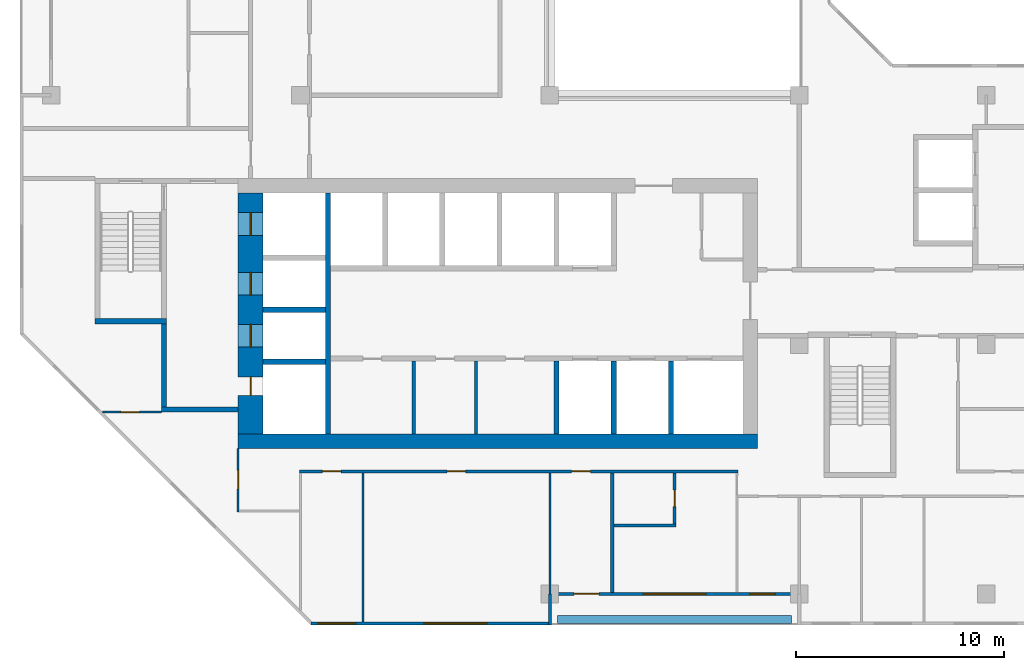
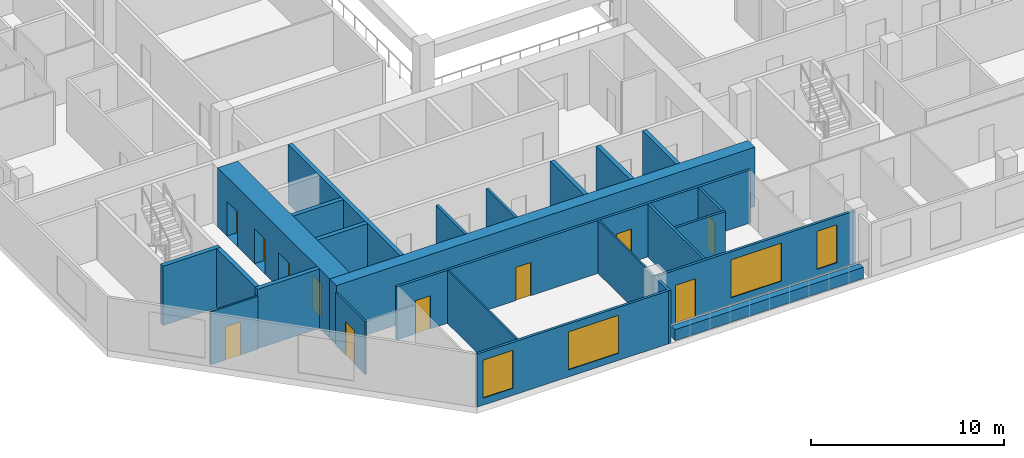
# One storey, part 4 of 14: 25 walls, 11 doors, 4 windows, 15 openings.
"""IFC4 building model written with IfcOpenShell, lengths in metres."""

from ifc_helpers import new_model, si_unit, direction, frame, frame_2d, origin, place, context, subcontext, project, spatial, rectangle, extrude, material, layer, layer_set, type_object, element, fill, save


model = new_model("IFC4")

# Units and contexts
model_context = context("Model", 3, precision=1e-05, world=origin(), true_north=direction((0.0, 1.0)))
body_context = subcontext(model_context, "Body", "Model", "MODEL_VIEW")
ifc_project = project(units=[si_unit("LENGTHUNIT", "METRE"), si_unit("AREAUNIT", "SQUARE_METRE"), si_unit("VOLUMEUNIT", "CUBIC_METRE"), si_unit("PLANEANGLEUNIT", "RADIAN"), si_unit("MASSUNIT", "GRAM", prefix="KILO")], contexts=[model_context])

# Site, building, storey
site_placement = place(None, origin())
site = spatial("IfcSite", under=ifc_project, at=site_placement, CompositionType="ELEMENT")
building_placement = place(site_placement, origin())
building = spatial("IfcBuilding", under=site, at=building_placement, Name="Chenar Terraces", CompositionType="ELEMENT")
storey_placement = place(building_placement, frame((0.0, 0.0, 237.89990234375)))
storey = spatial("IfcBuildingStorey", under=building, at=storey_placement, Name="L56", CompositionType="ELEMENT", Elevation=237.89990234375)

# Walls
ifc_material_1 = material(Name="Gypsum board on steel studs", Category="steel")
ifc_layer_1 = layer(ifc_material_1, 0.14990234375)
ifc_layer_set_1 = layer_set([ifc_layer_1], Name="Gypsum board on steel studs")
wall_type_1 = type_object("IfcWallType", Name="Core partition 150 gypsum board", PredefinedType="PARTITIONING", material=ifc_layer_set_1)
for number, where, z_axis, x_axis, name in (
    (1, (17.449951171875, 7.699951171875, 0.0), (0.0, 0.0, 1.0), (0.0, 1.0, 0.0), "Core partition CP1 freed bay wall"),
    (2, (20.449951171875, 7.699951171875, 0.0), (0.0, 0.0, 1.0), (0.0, 1.0, 0.0), "Core partition CP1 freed bay wall"),
):
    element("IfcWall", number, at=place(storey_placement, frame(where, z_axis=z_axis, x_axis=x_axis)), inside=storey, type_object=wall_type_1, Name=name, PredefinedType="PARTITIONING", context=body_context, shape_type="SweptSolid", body=[
        extrude(rectangle(XDim=3.5, YDim=0.14990234375, at=frame_2d((1.75, 0.0))), origin(), (0.0, 0.0, 1.0), 3.35009765625),
    ])

# Wall, openings, doors
ifc_material_2 = material(Name="Concrete C60/75", Category="concrete")
ifc_layer_2 = layer(ifc_material_2, 1.199951171875)
ifc_layer_set_2 = layer_set([ifc_layer_2], Name="Concrete C60/75")
wall_type_2 = type_object("IfcWallType", Name="Core wall 1200 Concrete C60/75", PredefinedType="SHEAR", material=ifc_layer_set_2)
wall_1_placement = place(storey_placement, frame((9.60009765625, 7.699951171875, 0.0), z_axis=(0.0, 0.0, 1.0), x_axis=(0.0, 1.0, 0.0)))
wall_1 = element("IfcWall", 3, at=wall_1_placement, inside=storey, type_object=wall_type_2, Name="Core wall W L56", PredefinedType="SHEAR", context=body_context, shape_type="SweptSolid", body=[
    extrude(rectangle(XDim=11.60009765625, YDim=1.199951171875, at=frame_2d((5.800048828125, 0.0))), origin(), (0.0, 0.0, 1.0), 3.75),
])
opening_1_placement = place(wall_1_placement, frame((4.175048828125, 0.0, 0.0)))
opening_1 = element("IfcOpeningElement", 4, at=opening_1_placement, cuts=wall_1, Name="Opening DL56-LD5", PredefinedType="OPENING", context=body_context, shape_type="SweptSolid", body=[
    extrude(rectangle(XDim=1.10009765625, YDim=2.199951171875, at=frame_2d((0.550048828125, 1.10009765625))), frame((0.0, 0.60986328125, 0.0), z_axis=(0.0, -1.0, 0.0), x_axis=(1.0, 0.0, 0.0)), (0.0, 0.0, 1.0), 1.219970703125),
])
opening_2_placement = place(wall_1_placement, frame((6.675048828125, 0.0, 0.0)))
opening_2 = element("IfcOpeningElement", 5, at=opening_2_placement, cuts=wall_1, Name="Opening DL56-LD6", PredefinedType="OPENING", context=body_context, shape_type="SweptSolid", body=[
    extrude(rectangle(XDim=1.10009765625, YDim=2.199951171875, at=frame_2d((0.550048828125, 1.10009765625))), frame((0.0, 0.60986328125, 0.0), z_axis=(0.0, -1.0, 0.0), x_axis=(1.0, 0.0, 0.0)), (0.0, 0.0, 1.0), 1.219970703125),
])
opening_3_placement = place(wall_1_placement, frame((9.550048828125, 0.0, 0.0)))
opening_3 = element("IfcOpeningElement", 6, at=opening_3_placement, cuts=wall_1, Name="Opening DL56-LD7", PredefinedType="OPENING", context=body_context, shape_type="SweptSolid", body=[
    extrude(rectangle(XDim=1.10009765625, YDim=2.199951171875, at=frame_2d((0.550048828125, 1.10009765625))), frame((0.0, 0.60986328125, 0.0), z_axis=(0.0, -1.0, 0.0), x_axis=(1.0, 0.0, 0.0)), (0.0, 0.0, 1.0), 1.219970703125),
])
opening_4_placement = place(wall_1_placement, frame((1.85009765625, 0.0, 0.0)))
opening_4 = element("IfcOpeningElement", 7, at=opening_4_placement, cuts=wall_1, Name="Opening DL56-C4", PredefinedType="OPENING", context=body_context, shape_type="SweptSolid", body=[
    extrude(rectangle(XDim=0.89990234375, YDim=2.10009765625, at=frame_2d((0.449951171875, 1.050048828125))), frame((0.0, 0.60986328125, 0.0), z_axis=(0.0, -1.0, 0.0), x_axis=(1.0, 0.0, 0.0)), (0.0, 0.0, 1.0), 1.219970703125),
])
ifc_material_3 = material(Name="Stainless steel", Category="steel")
door_type_1 = type_object("IfcDoorType", Name="Lift landing door 1100 x 2200 sliding", OperationType="DOUBLE_DOOR_SLIDING", PredefinedType="DOOR", material=ifc_material_3)
door_1_placement = place(opening_1_placement, origin())
door_1 = element("IfcDoor", 8, at=door_1_placement, inside=storey, type_object=door_type_1, Name="Landing door S1", OperationType="DOUBLE_DOOR_SLIDING", OverallHeight=2.199951171875, OverallWidth=1.10009765625, PredefinedType="DOOR", context=body_context, shape_type="SweptSolid", body=[
    extrude(rectangle(XDim=1.10009765625, YDim=2.199951171875, at=frame_2d((0.550048828125, 1.10009765625))), frame((0.0, 0.02490234375, 0.0), z_axis=(0.0, -1.0, 0.0), x_axis=(1.0, 0.0, 0.0)), (0.0, 0.0, 1.0), 0.050048828125),
])
fill(opening_1, door_1)
door_2_placement = place(opening_2_placement, origin())
door_2 = element("IfcDoor", 9, at=door_2_placement, inside=storey, type_object=door_type_1, Name="Landing door F1", OperationType="DOUBLE_DOOR_SLIDING", OverallHeight=2.199951171875, OverallWidth=1.10009765625, PredefinedType="DOOR", context=body_context, shape_type="SweptSolid", body=[
    extrude(rectangle(XDim=1.10009765625, YDim=2.199951171875, at=frame_2d((0.550048828125, 1.10009765625))), frame((0.0, 0.02490234375, 0.0), z_axis=(0.0, -1.0, 0.0), x_axis=(1.0, 0.0, 0.0)), (0.0, 0.0, 1.0), 0.050048828125),
])
fill(opening_2, door_2)
door_3_placement = place(opening_3_placement, origin())
door_3 = element("IfcDoor", 10, at=door_3_placement, inside=storey, type_object=door_type_1, Name="Landing door F2", OperationType="DOUBLE_DOOR_SLIDING", OverallHeight=2.199951171875, OverallWidth=1.10009765625, PredefinedType="DOOR", context=body_context, shape_type="SweptSolid", body=[
    extrude(rectangle(XDim=1.10009765625, YDim=2.199951171875, at=frame_2d((0.550048828125, 1.10009765625))), frame((0.0, 0.02490234375, 0.0), z_axis=(0.0, -1.0, 0.0), x_axis=(1.0, 0.0, 0.0)), (0.0, 0.0, 1.0), 0.050048828125),
])
fill(opening_3, door_3)
ifc_material_4 = material(Name="Steel-framed fire-resisting door leaf", Category="steel")
door_type_2 = type_object("IfcDoorType", Name="Riser fire door FD60 900 x 2100", OperationType="SINGLE_SWING_LEFT", PredefinedType="DOOR", material=ifc_material_4)
door_4_placement = place(opening_4_placement, frame((0.89990234375, 0.0, 0.0), z_axis=(0.0, 0.0, 1.0), x_axis=(-1.0, 0.0, 0.0)))
door_4 = element("IfcDoor", 11, at=door_4_placement, inside=storey, type_object=door_type_2, Name="Riser door DL56-C4", OperationType="SINGLE_SWING_LEFT", OverallHeight=2.10009765625, OverallWidth=0.89990234375, PredefinedType="DOOR", context=body_context, shape_type="SweptSolid", body=[
    extrude(rectangle(XDim=0.89990234375, YDim=2.10009765625, at=frame_2d((0.449951171875, 1.050048828125))), frame((0.0, 0.02490234375, 0.0), z_axis=(0.0, -1.0, 0.0), x_axis=(1.0, 0.0, 0.0)), (0.0, 0.0, 1.0), 0.050048828125),
])
fill(opening_4, door_4)

# Walls
ifc_material_5 = material(Name="Concrete C60/75", Category="concrete")
ifc_layer_3 = layer(ifc_material_5, 0.25)
ifc_layer_set_3 = layer_set([ifc_layer_3], Name="Concrete C60/75")
wall_type_3 = type_object("IfcWallType", Name="Core wall 250 Concrete C60/75", PredefinedType="SHEAR", material=ifc_layer_set_3)
wall_2_placement = place(storey_placement, frame((13.324951171875, 7.699951171875, 0.0), z_axis=(0.0, 0.0, 1.0), x_axis=(0.0, 1.0, 0.0)))
element("IfcWall", 12, at=wall_2_placement, inside=storey, type_object=wall_type_3, Name="Core wall WI L56", PredefinedType="SHEAR", context=body_context, shape_type="SweptSolid", body=[
    extrude(rectangle(XDim=11.60009765625, YDim=0.25, at=frame_2d((5.800048828125, 0.0))), origin(), (0.0, 0.0, 1.0), 3.75),
])
for number, where, z_axis, x_axis, name in (
    (13, (10.199951171875, 11.175048828125, 0.0), (0.0, 0.0, 1.0), (1.0, 0.0, 0.0), "Core wall HW0 L56"),
    (14, (10.199951171875, 13.675048828125, 0.0), (0.0, 0.0, 1.0), (1.0, 0.0, 0.0), "Core wall HW1 L56"),
):
    element("IfcWall", number, at=place(storey_placement, frame(where, z_axis=z_axis, x_axis=x_axis)), inside=storey, type_object=wall_type_3, Name=name, PredefinedType="SHEAR", context=body_context, shape_type="SweptSolid", body=[
        extrude(rectangle(XDim=3.0, YDim=0.25, at=frame_2d((1.5, 0.0))), origin(), (0.0, 0.0, 1.0), 3.75),
    ])
for number, where, z_axis, x_axis, name in (
    (15, (24.324951171875, 7.699951171875, 0.0), (0.0, 0.0, 1.0), (0.0, 1.0, 0.0), "Core wall SS3 L56"),
    (16, (27.074951171875, 7.699951171875, 0.0), (0.0, 0.0, 1.0), (0.0, 1.0, 0.0), "Core wall SS4 L56"),
    (17, (29.824951171875, 7.699951171875, 0.0), (0.0, 0.0, 1.0), (0.0, 1.0, 0.0), "Core wall SS5 L56"),
):
    element("IfcWall", number, at=place(storey_placement, frame(where, z_axis=z_axis, x_axis=x_axis)), inside=storey, type_object=wall_type_3, Name=name, PredefinedType="SHEAR", context=body_context, shape_type="SweptSolid", body=[
        extrude(rectangle(XDim=3.5, YDim=0.25, at=frame_2d((1.75, 0.0))), origin(), (0.0, 0.0, 1.0), 3.75),
    ])
wall_3_placement = place(storey_placement, frame((2.10009765625, 13.125, 0.0), z_axis=(0.0, 0.0, 1.0), x_axis=(1.0, 0.0, 0.0)))
element("IfcWall", 18, at=wall_3_placement, inside=storey, type_object=wall_type_3, Name="Core wall ST1_S L56", PredefinedType="SHEAR", context=body_context, shape_type="SweptSolid", body=[
    extrude(rectangle(XDim=3.449951171875, YDim=0.25, at=frame_2d((1.72509765625, 0.0))), origin(), (0.0, 0.0, 1.0), 3.75),
])
wall_4_placement = place(storey_placement, frame((5.300048828125, 8.875, 0.0), z_axis=(0.0, 0.0, 1.0), x_axis=(1.0, 0.0, 0.0)))
element("IfcWall", 19, at=wall_4_placement, inside=storey, type_object=wall_type_3, Name="Core wall FFL_S L56", PredefinedType="SHEAR", context=body_context, shape_type="SweptSolid", body=[
    extrude(rectangle(XDim=3.699951171875, YDim=0.25, at=frame_2d((1.85009765625, 0.0))), origin(), (0.0, 0.0, 1.0), 3.75),
])
wall_5_placement = place(storey_placement, frame((5.425048828125, 9.0, 0.0), z_axis=(0.0, 0.0, 1.0), x_axis=(0.0, 1.0, 0.0)))
element("IfcWall", 20, at=wall_5_placement, inside=storey, type_object=wall_type_3, Name="Core wall FFL_W L56", PredefinedType="SHEAR", context=body_context, shape_type="SweptSolid", body=[
    extrude(rectangle(XDim=4.0, YDim=0.25, at=frame_2d((2.0, 0.0))), origin(), (0.0, 0.0, 1.0), 3.75),
])
ifc_material_6 = material(Name="Concrete C60/75", Category="concrete")
ifc_layer_4 = layer(ifc_material_6, 0.699951171875)
ifc_layer_set_4 = layer_set([ifc_layer_4], Name="Concrete C60/75")
wall_type_4 = type_object("IfcWallType", Name="Core wall 700 Concrete C60/75", PredefinedType="SHEAR", material=ifc_layer_set_4)
wall_6_placement = place(storey_placement, frame((9.0, 7.35009765625, 0.0), z_axis=(0.0, 0.0, 1.0), x_axis=(1.0, 0.0, 0.0)))
element("IfcWall", 21, at=wall_6_placement, inside=storey, type_object=wall_type_4, Name="Core wall S L56", PredefinedType="SHEAR", context=body_context, shape_type="SweptSolid", body=[
    extrude(rectangle(XDim=25.0, YDim=0.699951171875, at=frame_2d((12.5, 0.0))), origin(), (0.0, 0.0, 1.0), 3.75),
])

# Wall, openings, windows
ifc_material_7 = material(Name="Aluminium framed glazing", Category="aluminium")
ifc_layer_5 = layer(ifc_material_7, 0.14990234375)
ifc_layer_set_5 = layer_set([ifc_layer_5], Name="Aluminium framed glazing")
wall_type_5 = type_object("IfcWallType", Name="Glazed flush facade wall 150", PredefinedType="SOLIDWALL", material=ifc_layer_set_5)
wall_7_placement = place(storey_placement, frame((12.5, -1.425048828125, 0.0), z_axis=(0.0, 0.0, 1.0), x_axis=(1.0, 0.0, 0.0)))
wall_7 = element("IfcWall", 22, at=wall_7_placement, inside=storey, type_object=wall_type_5, Name="Glazed flush facade wall", PredefinedType="SOLIDWALL", context=body_context, shape_type="SweptSolid", body=[
    extrude(rectangle(XDim=11.425048828125, YDim=0.14990234375, at=frame_2d((5.71240234375, 0.0))), origin(), (0.0, 0.0, 1.0), 3.35009765625),
])
opening_5_placement = place(wall_7_placement, frame((0.35009765625, 0.0, 0.449951171875)))
opening_5 = element("IfcOpeningElement", 23, at=opening_5_placement, cuts=wall_7, Name="Opening W180x240", PredefinedType="OPENING", context=body_context, shape_type="SweptSolid", body=[
    extrude(rectangle(XDim=1.800048828125, YDim=2.39990234375, at=frame_2d((0.89990234375, 1.199951171875))), frame((0.0, 0.0849609375, 0.0), z_axis=(0.0, -1.0, 0.0), x_axis=(1.0, 0.0, 0.0)), (0.0, 0.0, 1.0), 0.169921875),
])
opening_6_placement = place(wall_7_placement, frame((5.46240234375, 0.0, 0.449951171875)))
opening_6 = element("IfcOpeningElement", 24, at=opening_6_placement, cuts=wall_7, Name="Opening W300x240", PredefinedType="OPENING", context=body_context, shape_type="SweptSolid", body=[
    extrude(rectangle(XDim=3.0, YDim=2.39990234375, at=frame_2d((1.5, 1.199951171875))), frame((0.0, 0.0849609375, 0.0), z_axis=(0.0, -1.0, 0.0), x_axis=(1.0, 0.0, 0.0)), (0.0, 0.0, 1.0), 0.169921875),
])
ifc_material_8 = material(Name="Low emissivity double glazing, aluminium frame", Category="aluminium")
window_type_1 = type_object("IfcWindowType", Name="Fixed light 1800 x 2400", PartitioningType="SINGLE_PANEL", PredefinedType="WINDOW", material=ifc_material_8)
window_1_placement = place(opening_5_placement, origin())
window_1 = element("IfcWindow", 25, at=window_1_placement, inside=storey, type_object=window_type_1, Name="Window", OverallHeight=2.39990234375, OverallWidth=1.800048828125, PartitioningType="SINGLE_PANEL", PredefinedType="WINDOW", context=body_context, shape_type="SweptSolid", body=[
    extrude(rectangle(XDim=1.800048828125, YDim=2.39990234375, at=frame_2d((0.89990234375, 1.199951171875))), frame((0.0, 0.030029296875, 0.0), z_axis=(0.0, -1.0, 0.0), x_axis=(1.0, 0.0, 0.0)), (0.0, 0.0, 1.0), 0.06005859375),
])
fill(opening_5, window_1)
ifc_material_9 = material(Name="Low emissivity double glazing, aluminium frame", Category="aluminium")
window_type_2 = type_object("IfcWindowType", Name="Fixed light 3000 x 2400", PartitioningType="SINGLE_PANEL", PredefinedType="WINDOW", material=ifc_material_9)
window_2_placement = place(opening_6_placement, origin())
window_2 = element("IfcWindow", 26, at=window_2_placement, inside=storey, type_object=window_type_2, Name="Window", OverallHeight=2.39990234375, OverallWidth=3.0, PartitioningType="SINGLE_PANEL", PredefinedType="WINDOW", context=body_context, shape_type="SweptSolid", body=[
    extrude(rectangle(XDim=3.0, YDim=2.39990234375, at=frame_2d((1.5, 1.199951171875))), frame((0.0, 0.030029296875, 0.0), z_axis=(0.0, -1.0, 0.0), x_axis=(1.0, 0.0, 0.0)), (0.0, 0.0, 1.0), 0.06005859375),
])
fill(opening_6, window_2)

# Wall, openings, windows, door
ifc_material_10 = material(Name="Aluminium framed glazing", Category="aluminium")
ifc_layer_6 = layer(ifc_material_10, 0.14990234375)
ifc_layer_set_6 = layer_set([ifc_layer_6], Name="Aluminium framed glazing")
wall_type_6 = type_object("IfcWallType", Name="Glazed loggia back wall 150", PredefinedType="SOLIDWALL", material=ifc_layer_set_6)
wall_8_placement = place(storey_placement, frame((24.074951171875, 0.0, 0.0), z_axis=(0.0, 0.0, 1.0), x_axis=(1.0, 0.0, 0.0)))
wall_8 = element("IfcWall", 27, at=wall_8_placement, inside=storey, type_object=wall_type_6, Name="Glazed loggia back wall", PredefinedType="SOLIDWALL", context=body_context, shape_type="SweptSolid", body=[
    extrude(rectangle(XDim=11.85009765625, YDim=0.14990234375, at=frame_2d((5.925048828125, 0.0))), origin(), (0.0, 0.0, 1.0), 3.35009765625),
])
opening_7_placement = place(wall_8_placement, frame((1.08740234375, 0.0, 0.0)))
opening_7 = element("IfcOpeningElement", 28, at=opening_7_placement, cuts=wall_8, Name="Opening DL56-G6", PredefinedType="OPENING", context=body_context, shape_type="SweptSolid", body=[
    extrude(rectangle(XDim=1.199951171875, YDim=2.39990234375, at=frame_2d((0.60009765625, 1.199951171875))), frame((0.0, 0.0849609375, 0.0), z_axis=(0.0, -1.0, 0.0), x_axis=(1.0, 0.0, 0.0)), (0.0, 0.0, 1.0), 0.169921875),
])
opening_8_placement = place(wall_8_placement, frame((4.425048828125, 0.0, 0.449951171875)))
opening_8 = element("IfcOpeningElement", 29, at=opening_8_placement, cuts=wall_8, Name="Opening W300x240", PredefinedType="OPENING", context=body_context, shape_type="SweptSolid", body=[
    extrude(rectangle(XDim=3.0, YDim=2.39990234375, at=frame_2d((1.5, 1.199951171875))), frame((0.0, 0.0849609375, 0.0), z_axis=(0.0, -1.0, 0.0), x_axis=(1.0, 0.0, 0.0)), (0.0, 0.0, 1.0), 0.169921875),
])
opening_9_placement = place(wall_8_placement, frame((9.5625, 0.0, 0.449951171875)))
opening_9 = element("IfcOpeningElement", 30, at=opening_9_placement, cuts=wall_8, Name="Opening W120x240", PredefinedType="OPENING", context=body_context, shape_type="SweptSolid", body=[
    extrude(rectangle(XDim=1.199951171875, YDim=2.39990234375, at=frame_2d((0.60009765625, 1.199951171875))), frame((0.0, 0.0849609375, 0.0), z_axis=(0.0, -1.0, 0.0), x_axis=(1.0, 0.0, 0.0)), (0.0, 0.0, 1.0), 0.169921875),
])
ifc_material_11 = material(Name="Low emissivity double glazing, aluminium frame", Category="aluminium")
window_type_3 = type_object("IfcWindowType", Name="Fixed light 1200 x 2400", PartitioningType="SINGLE_PANEL", PredefinedType="WINDOW", material=ifc_material_11)
window_3_placement = place(opening_9_placement, origin())
window_3 = element("IfcWindow", 31, at=window_3_placement, inside=storey, type_object=window_type_3, Name="Window", OverallHeight=2.39990234375, OverallWidth=1.199951171875, PartitioningType="SINGLE_PANEL", PredefinedType="WINDOW", context=body_context, shape_type="SweptSolid", body=[
    extrude(rectangle(XDim=1.199951171875, YDim=2.39990234375, at=frame_2d((0.60009765625, 1.199951171875))), frame((0.0, 0.030029296875, 0.0), z_axis=(0.0, -1.0, 0.0), x_axis=(1.0, 0.0, 0.0)), (0.0, 0.0, 1.0), 0.06005859375),
])
fill(opening_9, window_3)
window_4_placement = place(opening_8_placement, origin())
window_4 = element("IfcWindow", 32, at=window_4_placement, inside=storey, type_object=window_type_2, Name="Window", OverallHeight=2.39990234375, OverallWidth=3.0, PartitioningType="SINGLE_PANEL", PredefinedType="WINDOW", context=body_context, shape_type="SweptSolid", body=[
    extrude(rectangle(XDim=3.0, YDim=2.39990234375, at=frame_2d((1.5, 1.199951171875))), frame((0.0, 0.030029296875, 0.0), z_axis=(0.0, -1.0, 0.0), x_axis=(1.0, 0.0, 0.0)), (0.0, 0.0, 1.0), 0.06005859375),
])
fill(opening_8, window_4)
ifc_material_12 = material(Name="Low emissivity double glazing, aluminium frame", Category="aluminium")
door_type_3 = type_object("IfcDoorType", Name="Loggia glazed double door 1200 x 2400", OperationType="DOUBLE_DOOR_SINGLE_SWING", PredefinedType="DOOR", material=ifc_material_12)
door_5_placement = place(opening_7_placement, frame((1.199951171875, 0.0, 0.0), z_axis=(0.0, 0.0, 1.0), x_axis=(-1.0, 0.0, 0.0)))
door_5 = element("IfcDoor", 33, at=door_5_placement, inside=storey, type_object=door_type_3, Name="Loggia glazed door", OperationType="DOUBLE_DOOR_SINGLE_SWING", OverallHeight=2.39990234375, OverallWidth=1.199951171875, PredefinedType="DOOR", context=body_context, shape_type="SweptSolid", body=[
    extrude(rectangle(XDim=1.199951171875, YDim=2.39990234375, at=frame_2d((0.60009765625, 1.199951171875))), frame((0.0, 0.02490234375, 0.0), z_axis=(0.0, -1.0, 0.0), x_axis=(1.0, 0.0, 0.0)), (0.0, 0.0, 1.0), 0.050048828125),
])
fill(opening_7, door_5)

# Wall, opening, door
ifc_material_13 = material(Name="Gypsum board on steel studs", Category="steel")
ifc_layer_7 = layer(ifc_material_13, 0.10009765625)
ifc_layer_set_7 = layer_set([ifc_layer_7], Name="Gypsum board on steel studs")
wall_type_7 = type_object("IfcWallType", Name="Gypsum partition 100", PredefinedType="PARTITIONING", material=ifc_layer_set_7)
wall_9_placement = place(storey_placement, frame((2.4609375, 8.75, 0.0), z_axis=(0.0, 0.0, 1.0), x_axis=(1.0, 0.0, 0.0)))
wall_9 = element("IfcWall", 34, at=wall_9_placement, inside=storey, type_object=wall_type_7, Name="Partition L56-012", PredefinedType="PARTITIONING", context=body_context, shape_type="SweptSolid", body=[
    extrude(rectangle(XDim=2.839111328125, YDim=0.10009765625, at=frame_2d((1.41943359375, 0.0))), origin(), (0.0, 0.0, 1.0), 3.35009765625),
])
opening_10_placement = place(wall_9_placement, frame((0.888916015625, 0.0, 0.0)))
opening_10 = element("IfcOpeningElement", 35, at=opening_10_placement, cuts=wall_9, Name="Opening DL56-50", PredefinedType="OPENING", context=body_context, shape_type="SweptSolid", body=[
    extrude(rectangle(XDim=0.89990234375, YDim=2.10009765625, at=frame_2d((0.449951171875, 1.050048828125))), frame((0.0, 0.06005859375, 0.0), z_axis=(0.0, -1.0, 0.0), x_axis=(1.0, 0.0, 0.0)), (0.0, 0.0, 1.0), 0.1201171875),
])
ifc_material_14 = material(Name="Veneered timber door leaf", Category="wood")
door_type_4 = type_object("IfcDoorType", Name="Door 900 x 2100", OperationType="SINGLE_SWING_LEFT", PredefinedType="DOOR", material=ifc_material_14)
door_6_placement = place(opening_10_placement, frame((0.89990234375, 0.0, 0.0), z_axis=(0.0, 0.0, 1.0), x_axis=(-1.0, 0.0, 0.0)))
door_6 = element("IfcDoor", 36, at=door_6_placement, inside=storey, type_object=door_type_4, Name="Door DL56-50", OperationType="SINGLE_SWING_RIGHT", OverallHeight=2.10009765625, OverallWidth=0.89990234375, PredefinedType="DOOR", context=body_context, shape_type="SweptSolid", body=[
    extrude(rectangle(XDim=0.89990234375, YDim=2.10009765625, at=frame_2d((0.449951171875, 1.050048828125))), frame((0.0, 0.02490234375, 0.0), z_axis=(0.0, -1.0, 0.0), x_axis=(1.0, 0.0, 0.0)), (0.0, 0.0, 1.0), 0.050048828125),
])
fill(opening_10, door_6)

wall_10_placement = place(storey_placement, frame((9.0, 3.949951171875, 0.0), z_axis=(0.0, 0.0, 1.0), x_axis=(0.0, 1.0, 0.0)))
wall_10 = element("IfcWall", 37, at=wall_10_placement, inside=storey, type_object=wall_type_7, Name="Partition L56-031", PredefinedType="PARTITIONING", context=body_context, shape_type="SweptSolid", body=[
    extrude(rectangle(XDim=3.050048828125, YDim=0.10009765625, at=frame_2d((1.52490234375, 0.0))), origin(), (0.0, 0.0, 1.0), 3.35009765625),
])
opening_11_placement = place(wall_10_placement, frame((1.10009765625, 0.0, 0.0)))
opening_11 = element("IfcOpeningElement", 38, at=opening_11_placement, cuts=wall_10, Name="Opening DL56-49", PredefinedType="OPENING", context=body_context, shape_type="SweptSolid", body=[
    extrude(rectangle(XDim=0.89990234375, YDim=2.10009765625, at=frame_2d((0.449951171875, 1.050048828125))), frame((0.0, 0.06005859375, 0.0), z_axis=(0.0, -1.0, 0.0), x_axis=(1.0, 0.0, 0.0)), (0.0, 0.0, 1.0), 0.1201171875),
])
door_7_placement = place(opening_11_placement, origin())
door_7 = element("IfcDoor", 39, at=door_7_placement, inside=storey, type_object=door_type_4, Name="Door DL56-49", OperationType="SINGLE_SWING_LEFT", OverallHeight=2.10009765625, OverallWidth=0.89990234375, PredefinedType="DOOR", context=body_context, shape_type="SweptSolid", body=[
    extrude(rectangle(XDim=0.89990234375, YDim=2.10009765625, at=frame_2d((0.449951171875, 1.050048828125))), frame((0.0, 0.02490234375, 0.0), z_axis=(0.0, -1.0, 0.0), x_axis=(1.0, 0.0, 0.0)), (0.0, 0.0, 1.0), 0.050048828125),
])
fill(opening_11, door_7)

# Walls
wall_11_placement = place(storey_placement, frame((15.0, -1.35009765625, 0.0), z_axis=(0.0, 0.0, 1.0), x_axis=(0.0, 1.0, 0.0)))
element("IfcWall", 40, at=wall_11_placement, inside=storey, type_object=wall_type_7, Name="Partition L56-046", PredefinedType="PARTITIONING", context=body_context, shape_type="SweptSolid", body=[
    extrude(rectangle(XDim=7.175048828125, YDim=0.10009765625, at=frame_2d((3.58740234375, 0.0))), origin(), (0.0, 0.0, 1.0), 3.35009765625),
])
wall_12_placement = place(storey_placement, frame((24.0, 0.0, 0.0), z_axis=(0.0, 0.0, 1.0), x_axis=(0.0, 1.0, 0.0)))
element("IfcWall", 41, at=wall_12_placement, inside=storey, type_object=wall_type_7, Name="Partition L56-059", PredefinedType="PARTITIONING", context=body_context, shape_type="SweptSolid", body=[
    extrude(rectangle(XDim=5.824951171875, YDim=0.10009765625, at=frame_2d((2.91259765625, 0.0))), origin(), (0.0, 0.0, 1.0), 3.35009765625),
])
ifc_material_15 = material(Name="Terracotta cladding on insulated backing", Category="masonry")
ifc_layer_8 = layer(ifc_material_15, 0.14990234375)
ifc_layer_set_8 = layer_set([ifc_layer_8], Name="Terracotta cladding on insulated backing")
wall_type_8 = type_object("IfcWallType", Name="Loggia return wall 150", PredefinedType="SOLIDWALL", material=ifc_layer_set_8)
wall_13_placement = place(storey_placement, frame((24.0, -1.5, 0.0), z_axis=(0.0, 0.0, 1.0), x_axis=(0.0, 1.0, 0.0)))
element("IfcWall", 42, at=wall_13_placement, inside=storey, type_object=wall_type_8, Name="Loggia return wall", PredefinedType="SOLIDWALL", context=body_context, shape_type="SweptSolid", body=[
    extrude(rectangle(XDim=1.5, YDim=0.14990234375, at=frame_2d((0.75, 0.0))), origin(), (0.0, 0.0, 1.0), 3.35009765625),
])
ifc_material_16 = material(Name="GRP planter trough")
ifc_layer_9 = layer(ifc_material_16, 0.39990234375)
ifc_layer_set_9 = layer_set([ifc_layer_9], Name="GRP planter trough")
wall_type_9 = type_object("IfcWallType", Name="Vertical greenery planter 400", PredefinedType="SOLIDWALL", material=ifc_layer_set_9)
wall_14_placement = place(storey_placement, frame((24.375, -1.22900390625, 0.0), z_axis=(0.0, 0.0, 1.0), x_axis=(1.0, 0.0, 0.0)))
element("IfcWall", 43, at=wall_14_placement, inside=storey, type_object=wall_type_9, Name="Vertical greenery planter", PredefinedType="SOLIDWALL", context=body_context, shape_type="SweptSolid", body=[
    extrude(rectangle(XDim=11.25, YDim=0.39990234375, at=frame_2d((5.625, 0.0))), origin(), (0.0, 0.0, 1.0), 0.7001953125),
])

# Wall, openings, doors
ifc_material_17 = material(Name="Moisture-resistant gypsum board on steel studs", Category="steel")
ifc_layer_10 = layer(ifc_material_17, 0.14990234375)
ifc_layer_set_10 = layer_set([ifc_layer_10], Name="Moisture-resistant gypsum board on steel studs")
wall_type_10 = type_object("IfcWallType", Name="Wet-room partition 150", PredefinedType="PARTITIONING", material=ifc_layer_set_10)
wall_15_placement = place(storey_placement, frame((11.949951171875, 5.89990234375, 0.0), z_axis=(0.0, 0.0, 1.0), x_axis=(1.0, 0.0, 0.0)))
wall_15 = element("IfcWall", 44, at=wall_15_placement, inside=storey, type_object=wall_type_10, Name="Partition L56-034", PredefinedType="PARTITIONING", context=body_context, shape_type="SweptSolid", body=[
    extrude(rectangle(XDim=21.10009765625, YDim=0.14990234375, at=frame_2d((10.550048828125, 0.0))), origin(), (0.0, 0.0, 1.0), 3.35009765625),
])
opening_12_placement = place(wall_15_placement, frame((1.10009765625, 0.0, 0.0)))
opening_12 = element("IfcOpeningElement", 45, at=opening_12_placement, cuts=wall_15, Name="Opening DL56-43", PredefinedType="OPENING", context=body_context, shape_type="SweptSolid", body=[
    extrude(rectangle(XDim=0.89990234375, YDim=2.10009765625, at=frame_2d((0.449951171875, 1.050048828125))), frame((0.0, 0.0849609375, 0.0), z_axis=(0.0, -1.0, 0.0), x_axis=(1.0, 0.0, 0.0)), (0.0, 0.0, 1.0), 0.169921875),
])
opening_13_placement = place(wall_15_placement, frame((13.10009765625, 0.0, 0.0)))
opening_13 = element("IfcOpeningElement", 46, at=opening_13_placement, cuts=wall_15, Name="Opening DL56-44", PredefinedType="OPENING", context=body_context, shape_type="SweptSolid", body=[
    extrude(rectangle(XDim=0.89990234375, YDim=2.10009765625, at=frame_2d((0.449951171875, 1.050048828125))), frame((0.0, 0.0849609375, 0.0), z_axis=(0.0, -1.0, 0.0), x_axis=(1.0, 0.0, 0.0)), (0.0, 0.0, 1.0), 0.169921875),
])
opening_14_placement = place(wall_15_placement, frame((7.10009765625, 0.0, 0.0)))
opening_14 = element("IfcOpeningElement", 47, at=opening_14_placement, cuts=wall_15, Name="Opening DL56-55", PredefinedType="OPENING", context=body_context, shape_type="SweptSolid", body=[
    extrude(rectangle(XDim=0.89990234375, YDim=2.10009765625, at=frame_2d((0.449951171875, 1.050048828125))), frame((0.0, 0.0849609375, 0.0), z_axis=(0.0, -1.0, 0.0), x_axis=(1.0, 0.0, 0.0)), (0.0, 0.0, 1.0), 0.169921875),
])
door_8_placement = place(opening_12_placement, frame((0.89990234375, 0.0, 0.0), z_axis=(0.0, 0.0, 1.0), x_axis=(-1.0, 0.0, 0.0)))
door_8 = element("IfcDoor", 48, at=door_8_placement, inside=storey, type_object=door_type_4, Name="Door DL56-43", OperationType="SINGLE_SWING_RIGHT", OverallHeight=2.10009765625, OverallWidth=0.89990234375, PredefinedType="DOOR", context=body_context, shape_type="SweptSolid", body=[
    extrude(rectangle(XDim=0.89990234375, YDim=2.10009765625, at=frame_2d((0.449951171875, 1.050048828125))), frame((0.0, 0.02490234375, 0.0), z_axis=(0.0, -1.0, 0.0), x_axis=(1.0, 0.0, 0.0)), (0.0, 0.0, 1.0), 0.050048828125),
])
fill(opening_12, door_8)
door_9_placement = place(opening_13_placement, frame((0.89990234375, 0.0, 0.0), z_axis=(0.0, 0.0, 1.0), x_axis=(-1.0, 0.0, 0.0)))
door_9 = element("IfcDoor", 49, at=door_9_placement, inside=storey, type_object=door_type_4, Name="Door DL56-44", OperationType="SINGLE_SWING_RIGHT", OverallHeight=2.10009765625, OverallWidth=0.89990234375, PredefinedType="DOOR", context=body_context, shape_type="SweptSolid", body=[
    extrude(rectangle(XDim=0.89990234375, YDim=2.10009765625, at=frame_2d((0.449951171875, 1.050048828125))), frame((0.0, 0.02490234375, 0.0), z_axis=(0.0, -1.0, 0.0), x_axis=(1.0, 0.0, 0.0)), (0.0, 0.0, 1.0), 0.050048828125),
])
fill(opening_13, door_9)
door_10_placement = place(opening_14_placement, frame((0.89990234375, 0.0, 0.0), z_axis=(0.0, 0.0, 1.0), x_axis=(-1.0, 0.0, 0.0)))
door_10 = element("IfcDoor", 50, at=door_10_placement, inside=storey, type_object=door_type_4, Name="Door DL56-55", OperationType="SINGLE_SWING_RIGHT", OverallHeight=2.10009765625, OverallWidth=0.89990234375, PredefinedType="DOOR", context=body_context, shape_type="SweptSolid", body=[
    extrude(rectangle(XDim=0.89990234375, YDim=2.10009765625, at=frame_2d((0.449951171875, 1.050048828125))), frame((0.0, 0.02490234375, 0.0), z_axis=(0.0, -1.0, 0.0), x_axis=(1.0, 0.0, 0.0)), (0.0, 0.0, 1.0), 0.050048828125),
])
fill(opening_14, door_10)

# Walls
wall_16_placement = place(storey_placement, frame((27.0, 0.073974609375, 0.0), z_axis=(0.0, 0.0, 1.0), x_axis=(0.0, 1.0, 0.0)))
element("IfcWall", 51, at=wall_16_placement, inside=storey, type_object=wall_type_10, Name="Partition L56-060", PredefinedType="PARTITIONING", context=body_context, shape_type="SweptSolid", body=[
    extrude(rectangle(XDim=5.7509765625, YDim=0.14990234375, at=frame_2d((2.87548828125, 0.0))), origin(), (0.0, 0.0, 1.0), 3.35009765625),
])
wall_17_placement = place(storey_placement, frame((27.074951171875, 3.300048828125, 0.0), z_axis=(0.0, 0.0, 1.0), x_axis=(1.0, 0.0, 0.0)))
element("IfcWall", 52, at=wall_17_placement, inside=storey, type_object=wall_type_10, Name="Partition L56-061", PredefinedType="PARTITIONING", context=body_context, shape_type="SweptSolid", body=[
    extrude(rectangle(XDim=3.0, YDim=0.14990234375, at=frame_2d((1.5, 0.0))), origin(), (0.0, 0.0, 1.0), 3.35009765625),
])

# Wall, opening, door
wall_18_placement = place(storey_placement, frame((30.0, 3.375, 0.0), z_axis=(0.0, 0.0, 1.0), x_axis=(0.0, 1.0, 0.0)))
wall_18 = element("IfcWall", 53, at=wall_18_placement, inside=storey, type_object=wall_type_10, Name="Partition L56-062", PredefinedType="PARTITIONING", context=body_context, shape_type="SweptSolid", body=[
    extrude(rectangle(XDim=2.449951171875, YDim=0.14990234375, at=frame_2d((1.22509765625, 0.0))), origin(), (0.0, 0.0, 1.0), 3.35009765625),
])
opening_15_placement = place(wall_18_placement, frame((0.824951171875, 0.0, 0.0)))
opening_15 = element("IfcOpeningElement", 54, at=opening_15_placement, cuts=wall_18, Name="Opening DL56-52", PredefinedType="OPENING", context=body_context, shape_type="SweptSolid", body=[
    extrude(rectangle(XDim=0.800048828125, YDim=2.10009765625, at=frame_2d((0.39990234375, 1.050048828125))), frame((0.0, 0.0849609375, 0.0), z_axis=(0.0, -1.0, 0.0), x_axis=(1.0, 0.0, 0.0)), (0.0, 0.0, 1.0), 0.169921875),
])
ifc_material_18 = material(Name="Veneered timber door leaf", Category="wood")
door_type_5 = type_object("IfcDoorType", Name="Door 800 x 2100", OperationType="SINGLE_SWING_LEFT", PredefinedType="DOOR", material=ifc_material_18)
door_11_placement = place(opening_15_placement, origin())
door_11 = element("IfcDoor", 55, at=door_11_placement, inside=storey, type_object=door_type_5, Name="Door DL56-52", OperationType="SINGLE_SWING_RIGHT", OverallHeight=2.10009765625, OverallWidth=0.800048828125, PredefinedType="DOOR", context=body_context, shape_type="SweptSolid", body=[
    extrude(rectangle(XDim=0.800048828125, YDim=2.10009765625, at=frame_2d((0.39990234375, 1.050048828125))), frame((0.0, 0.02490234375, 0.0), z_axis=(0.0, -1.0, 0.0), x_axis=(1.0, 0.0, 0.0)), (0.0, 0.0, 1.0), 0.050048828125),
])
fill(opening_15, door_11)

save(model, "model.ifc")
